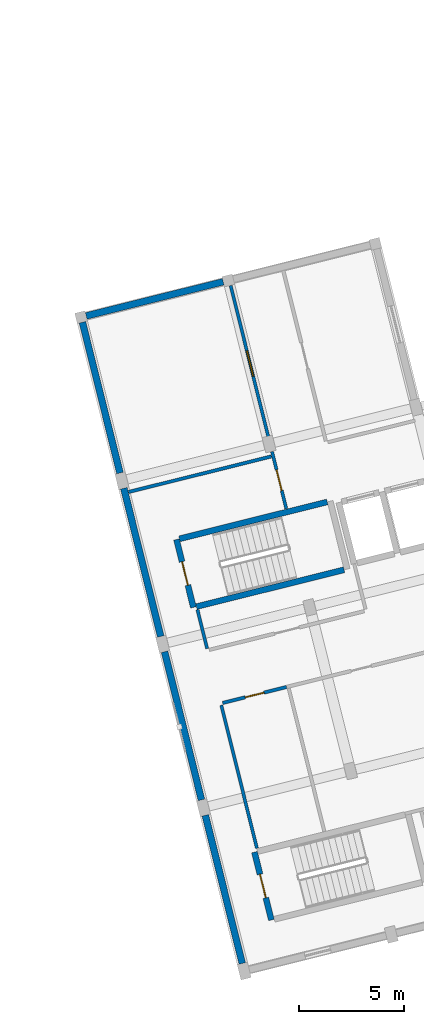
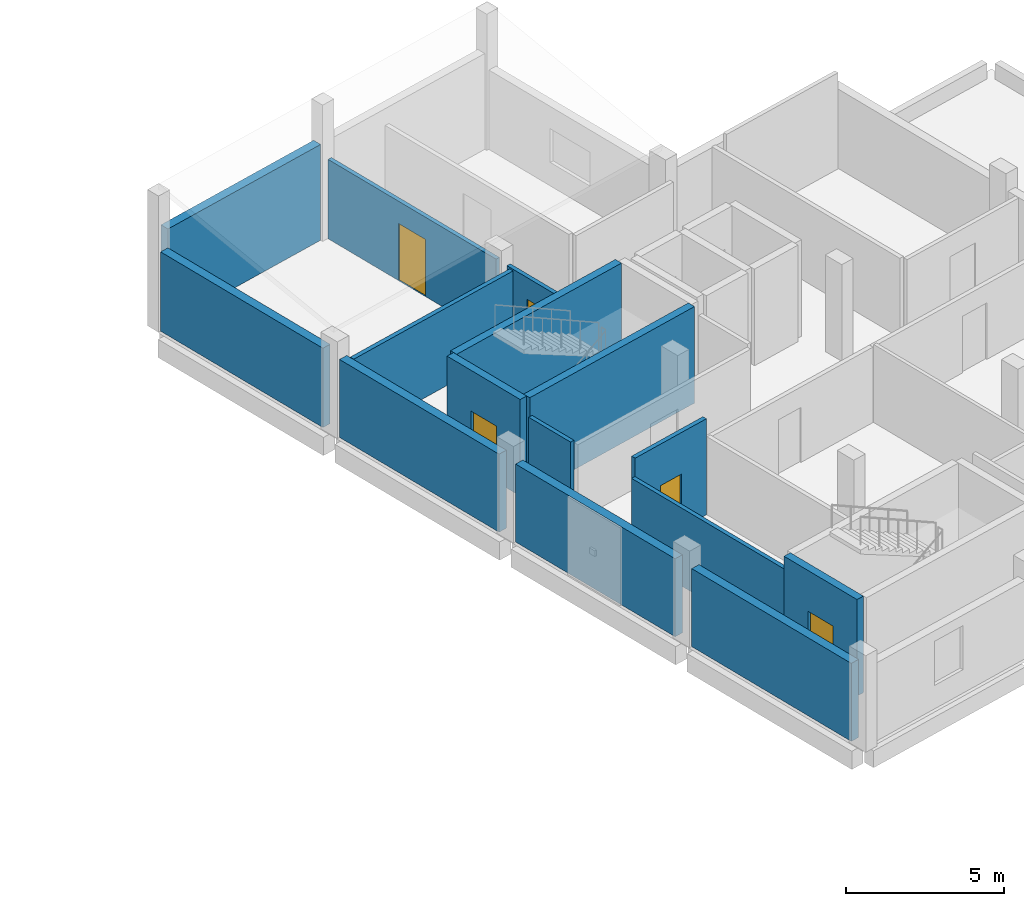
# One storey, part 6 of 14: 15 walls, 5 doors, 5 openings.
"""IFC4 building model written with IfcOpenShell, lengths in metres."""

import ifcopenshell
import ifcopenshell.guid

model = None  # the IFC model being written
_history = None  # IfcOwnerHistory: only IFC2X3 demands one
_inside = {}  # id of a spatial element -> (the spatial element, [elements in it])
_under = {}  # id of a project, library or spatial element -> (it, [spatial elements below it])
_declared = {}  # id of a project -> (the project, [libraries it declares])
_typed = {}  # id of a type object -> (the type object, [elements of that type])
_made_of = {}  # id of a material, layer set ... -> (it, [elements and type objects made of it])


def new_model(schema):
    """Start an empty IFC model of exactly this schema.

    Asked for "IFC4X3", IfcOpenShell would pick the latest addendum, in which some entities
    have other attributes; the version numbers below select the first issue.
    IFC2X3 requires an IfcOwnerHistory on every rooted entity: one is made here for all.
    """
    global model, _history
    if schema == "IFC4X3":
        model = ifcopenshell.file(schema_version=(4, 3, 0, 0))
    else:
        model = ifcopenshell.file(schema=schema)
    _inside.clear()
    _under.clear()
    _declared.clear()
    _typed.clear()
    _made_of.clear()
    _history = None
    if model.schema == "IFC2X3":
        org = make("IfcOrganization", Name="unknown")
        user = make(
            "IfcPersonAndOrganization",
            ThePerson=make("IfcPerson", FamilyName="unknown"),
            TheOrganization=org,
        )
        app = make(
            "IfcApplication",
            ApplicationDeveloper=org,
            Version="unknown",
            ApplicationFullName="unknown",
            ApplicationIdentifier="unknown",
        )
        _history = make(
            "IfcOwnerHistory",
            OwningUser=user,
            OwningApplication=app,
            ChangeAction="ADDED",
            CreationDate=0,
        )
    return model


def make(cls, **values):
    """One entity of the class cls with the attributes given. An attribute that is None is left unset."""
    return model.create_entity(
        cls, **{name: value for name, value in values.items() if value is not None}
    )


def rooted(cls, **values):
    """An entity with a GlobalId (a new one), such as an element, a storey or a relation."""
    return make(cls, GlobalId=ifcopenshell.guid.new(), OwnerHistory=_history, **values)


def si_unit(unit_type, name, prefix=None):
    """IfcSIUnit, for example si_unit("LENGTHUNIT", "METRE", prefix="MILLI")."""
    return make("IfcSIUnit", UnitType=unit_type, Prefix=prefix, Name=name)


def assignment(units):
    """IfcUnitAssignment: the units of a project."""
    return None if units is None else make("IfcUnitAssignment", Units=units)


def point(xyz):
    """IfcCartesianPoint."""
    return None if xyz is None else make("IfcCartesianPoint", Coordinates=xyz)


def direction(xyz):
    """IfcDirection."""
    return None if xyz is None else make("IfcDirection", DirectionRatios=xyz)


def frame(location, z_axis=None, x_axis=None):
    """IfcAxis2Placement3D, a coordinate frame: its origin and axes. An axis left out is left unset."""
    return make(
        "IfcAxis2Placement3D",
        Location=point(location),
        Axis=direction(z_axis),
        RefDirection=direction(x_axis),
    )


def frame_2d(location, x_axis=None):
    """IfcAxis2Placement2D, a coordinate frame in the plane: its origin and x axis."""
    return make(
        "IfcAxis2Placement2D", Location=point(location), RefDirection=direction(x_axis)
    )


def origin():
    """The frame at (0, 0, 0) with its axes left unset."""
    return frame((0.0, 0.0, 0.0))


def place(relative_to, where):
    """IfcLocalPlacement: puts the frame where relative to a parent placement (None: the world)."""
    return make(
        "IfcLocalPlacement", PlacementRelTo=relative_to, RelativePlacement=where
    )


def context(
    kind, dimensions, precision=None, world=None, true_north=None, identifier=None
):
    """IfcGeometricRepresentationContext, for example the 3D "Model" context."""
    return make(
        "IfcGeometricRepresentationContext",
        ContextIdentifier=identifier,
        ContextType=kind,
        CoordinateSpaceDimension=dimensions,
        Precision=precision,
        WorldCoordinateSystem=world,
        TrueNorth=true_north,
    )


def subcontext(parent, identifier, kind, view, scale=None):
    """IfcGeometricRepresentationSubContext, for example "Body" below "Model"."""
    return make(
        "IfcGeometricRepresentationSubContext",
        ContextIdentifier=identifier,
        ContextType=kind,
        ParentContext=parent,
        TargetScale=scale,
        TargetView=view,
    )


def project(units=None, contexts=None):
    """IfcProject with its units and contexts."""
    return rooted(
        "IfcProject",
        Name="project",
        RepresentationContexts=contexts,
        UnitsInContext=assignment(units),
    )


def spatial(cls, under=None, at=None, **own):
    """A site, building, storey or space (cls), placed at a placement, below another one or the project."""
    s = rooted(cls, ObjectPlacement=at, **own)
    if under is not None:
        _under.setdefault(under.id(), (under, []))[1].append(s)
    return s


def profile(cls, at=None, kind="AREA", **sizes):
    """A parametric profile (cls). Its sizes go by their IFC names, for example OverallWidth=200.0."""
    return make(cls, ProfileType=kind, Position=at, **sizes)


def rectangle(**sizes):
    """IfcRectangleProfileDef."""
    return profile("IfcRectangleProfileDef", **sizes)


def extrude(swept, where, along, depth):
    """IfcExtrudedAreaSolid: the profile swept, set in the frame where, extruded along a direction by depth."""
    return make(
        "IfcExtrudedAreaSolid",
        SweptArea=swept,
        Position=where,
        ExtrudedDirection=direction(along),
        Depth=depth,
    )


def shape(context_of_items, identifier, shape_type, items):
    """IfcShapeRepresentation: the items that make up one representation, for example the "Body"."""
    return make(
        "IfcShapeRepresentation",
        ContextOfItems=context_of_items,
        RepresentationIdentifier=identifier,
        RepresentationType=shape_type,
        Items=items,
    )


def material(Name=None, Category=None):
    """IfcMaterial."""
    return make("IfcMaterial", Name=Name, Category=Category)


def layer(
    of_material, thickness, ventilated=None, Name=None, Category=None, Priority=None
):
    """IfcMaterialLayer: one layer of a wall or slab, of a material (None: an air gap)."""
    return make(
        "IfcMaterialLayer",
        Material=of_material,
        LayerThickness=thickness,
        IsVentilated=ventilated,
        Name=Name,
        Category=Category,
        Priority=Priority,
    )


def layer_set(layers, Name=None):
    """IfcMaterialLayerSet."""
    return make("IfcMaterialLayerSet", MaterialLayers=layers, LayerSetName=Name)


def made_of(thing, what):
    """Note that an element or type object is made of a material, layer set ...; save() writes the relation."""
    if what is not None:
        _made_of.setdefault(what.id(), (what, []))[1].append(thing)
    return thing


def type_object(cls, material=None, **own):
    """A type object (cls), such as IfcWallType, which elements share."""
    return made_of(rooted(cls, **own), material)


def element(
    cls,
    number,
    at=None,
    inside=None,
    cuts=None,
    type_object=None,
    material=None,
    context=None,
    identifier="Body",
    shape_type=None,
    held_by="IfcProductDefinitionShape",
    body=None,
    shapes=None,
    **own,
):
    """One element of the class cls, such as IfcWall. Its Tag is "e" and its number.

    at: its placement. inside: the storey or other place that contains it. cuts: it is an
    opening in that element (IfcRelVoidsElement). A single representation is given by context,
    identifier, shape_type and body (its items); several are given by shapes. held_by: the class
    of the entity that holds the representations. save() writes the other relations.
    """
    e = rooted(cls, Tag="e%d" % number, ObjectPlacement=at, **own)
    if body is not None:
        shapes = [shape(context, identifier, shape_type, body)]
    if shapes is not None:
        e.Representation = make(held_by, Representations=shapes)
    if inside is not None:
        _inside.setdefault(inside.id(), (inside, []))[1].append(e)
    if cuts is not None:
        rooted(
            "IfcRelVoidsElement", RelatingBuildingElement=cuts, RelatedOpeningElement=e
        )
    if type_object is not None:
        _typed.setdefault(type_object.id(), (type_object, []))[1].append(e)
    return made_of(e, material)


def fill(opening, filler):
    """IfcRelFillsElement: the door or window that sits in an opening."""
    return rooted(
        "IfcRelFillsElement",
        RelatingOpeningElement=opening,
        RelatedBuildingElement=filler,
    )


def aggregate(whole, parts):
    """IfcRelAggregates: a whole, such as a stair, and the parts it consists of."""
    return rooted("IfcRelAggregates", RelatingObject=whole, RelatedObjects=parts)


def save(model, path):
    """Write the relations noted so far, then the file.

    IfcRelAggregates (storeys below a building ...), IfcRelContainedInSpatialStructure (elements
    in a storey), IfcRelDefinesByType, IfcRelAssociatesMaterial and IfcRelDeclares: one each for
    every whole, place, type object, material and project.
    """
    for whole, parts in _under.values():
        aggregate(whole, parts)
    for where, things in _inside.values():
        rooted(
            "IfcRelContainedInSpatialStructure",
            RelatedElements=things,
            RelatingStructure=where,
        )
    for kind, things in _typed.values():
        rooted("IfcRelDefinesByType", RelatedObjects=things, RelatingType=kind)
    for what, things in _made_of.values():
        rooted("IfcRelAssociatesMaterial", RelatedObjects=things, RelatingMaterial=what)
    for by, libraries in _declared.values():
        rooted("IfcRelDeclares", RelatingContext=by, RelatedDefinitions=libraries)
    model.write(path)


model = new_model("IFC4")

# Units and contexts
model_context = context("Model", 3, precision=1e-05, world=origin(), true_north=direction((0.0, 1.0)))
body_context = subcontext(model_context, "Body", "Model", "MODEL_VIEW")
ifc_project = project(units=[si_unit("LENGTHUNIT", "METRE"), si_unit("AREAUNIT", "SQUARE_METRE"), si_unit("VOLUMEUNIT", "CUBIC_METRE"), si_unit("PLANEANGLEUNIT", "RADIAN"), si_unit("MASSUNIT", "GRAM", prefix="KILO")], contexts=[model_context])

# Site, building, storey
site_placement = place(None, origin())
site = spatial("IfcSite", under=ifc_project, at=site_placement, CompositionType="ELEMENT")
building_placement = place(site_placement, origin())
building = spatial("IfcBuilding", under=site, at=building_placement, Name="Mawjan Specialist Oncology Clinic", CompositionType="ELEMENT")
storey_placement = place(building_placement, frame((0.0, 0.0, 17.5)))
storey = spatial("IfcBuildingStorey", under=building, at=storey_placement, Name="L04", CompositionType="ELEMENT", Elevation=17.5)

# Walls
ifc_material_1 = material(Name="Precast concrete C40/50", Category="concrete")
ifc_layer_1 = layer(ifc_material_1, 0.320068359375, Name="Precast concrete C40/50", Category="concrete")
ifc_layer_set_1 = layer_set([ifc_layer_1], Name="Precast concrete C40/50")
wall_type_1 = type_object("IfcWallType", Name="EW-320", PredefinedType="SOLIDWALL", material=ifc_layer_set_1)
for number, where, z_axis, x_axis, name in (
    (1, (125.9091796875, 1.163818359375, 0.0), (0.0, 0.0, 1.0), (-0.241917549853, 0.970296809782, 0.0), "L04 Coral-Limestone Exterior Wall EW-L04-334"),
    (2, (123.973876953125, 8.92626953125, 0.0), (0.0, 0.0, 1.0), (-0.241917549853, 0.970296809782, 0.0), "L04 Coral-Limestone Exterior Wall EW-L04-335"),
    (3, (122.03857421875, 16.6884765625, 0.0), (0.0, 0.0, 1.0), (-0.241917549853, 0.970296809782, 0.0), "L04 Coral-Limestone Exterior Wall EW-L04-336"),
):
    element("IfcWall", number, at=place(storey_placement, frame(where, z_axis=z_axis, x_axis=x_axis)), inside=storey, type_object=wall_type_1, Name=name, PredefinedType="SOLIDWALL", context=body_context, shape_type="SweptSolid", body=[
        extrude(rectangle(XDim=7.25, YDim=0.320068359375, at=frame_2d((3.625, 0.0))), origin(), (0.0, 0.0, 1.0), 3.0048828125),
    ])
wall_1_placement = place(storey_placement, frame((120.103271484375, 24.450927734375, 0.0), z_axis=(0.0, 0.0, 1.0), x_axis=(-0.241920240952, 0.970296138825, 0.0)))
element("IfcWall", 4, at=wall_1_placement, inside=storey, type_object=wall_type_1, Name="L04 Coral-Limestone Exterior Wall EW-L04-337", PredefinedType="SOLIDWALL", context=body_context, shape_type="SweptSolid", body=[
    extrude(rectangle(XDim=7.375, YDim=0.320068359375, at=frame_2d((3.6875, 0.0))), origin(), (0.0, 0.0, 1.0), 3.054931640625),
])
wall_2_placement = place(storey_placement, frame((118.5009765625, 31.909912109375, 0.0), z_axis=(0.0, 0.0, 1.0), x_axis=(0.970296633454, 0.241918257079, 0.0)))
element("IfcWall", 5, at=wall_2_placement, inside=storey, type_object=wall_type_1, Name="L04 Coral-Limestone Exterior Wall EW-L04-338", PredefinedType="SOLIDWALL", context=body_context, shape_type="SweptSolid", body=[
    extrude(rectangle(XDim=6.699951171875, YDim=0.320068359375, at=frame_2d((3.35009765625, 0.0))), origin(), (0.0, 0.0, 1.0), 3.68994140625),
])
ifc_material_2 = material(Name="Concrete C45/55", Category="concrete")
ifc_layer_2 = layer(ifc_material_2, 0.280029296875, Name="Concrete C45/55", Category="concrete")
ifc_layer_set_2 = layer_set([ifc_layer_2], Name="Concrete C45/55")
wall_type_2 = type_object("IfcWallType", Name="SW-300", PredefinedType="SHEAR", material=ifc_layer_set_2)
for number, where, z_axis, x_axis, name in (
    (6, (123.731201171875, 18.105224609375, 0.0), (0.0, 0.0, 1.0), (0.970297238923, 0.241915828623, 0.0), "L04 Core K5 Stair Shear Wall 1"),
    (7, (129.943115234375, 23.07568359375, 0.0), (0.0, 0.0, 1.0), (-0.970289312034, -0.241947620266, 0.0), "L04 Core K5 Stair Shear Wall 3"),
):
    element("IfcWall", number, at=place(storey_placement, frame(where, z_axis=z_axis, x_axis=x_axis)), inside=storey, type_object=wall_type_2, Name=name, PredefinedType="SHEAR", context=body_context, shape_type="SweptSolid", body=[
        extrude(rectangle(XDim=7.22998046875, YDim=0.280029296875, at=frame_2d((3.614990234375, 0.0))), origin(), (0.0, 0.0, 1.0), 3.719970703125),
    ])

# Wall, opening, door
wall_3_placement = place(storey_placement, frame((122.787353515625, 21.29150390625, 0.0), z_axis=(0.0, 0.0, 1.0), x_axis=(0.241860763027, -0.970310966293, 0.0)))
wall_3 = element("IfcWall", 8, at=wall_3_placement, inside=storey, type_object=wall_type_2, Name="L04 Core K5 Stair Shear Wall 4", PredefinedType="SHEAR", context=body_context, shape_type="SweptSolid", body=[
    extrude(rectangle(XDim=3.320068359375, YDim=0.280029296875, at=frame_2d((1.66015625, 0.0))), origin(), (0.0, 0.0, 1.0), 3.719970703125),
])
opening_1_placement = place(wall_3_placement, frame((1.0849609375, 0.0, 0.0)))
opening_1 = element("IfcOpeningElement", 9, at=opening_1_placement, cuts=wall_3, Name="Opening FD-90", PredefinedType="OPENING", context=body_context, shape_type="SweptSolid", body=[
    extrude(rectangle(XDim=1.14990234375, YDim=2.14990234375, at=frame_2d((0.574951171875, 1.074951171875))), frame((0.0, 0.152099609375, 0.0), z_axis=(0.0, -1.0, 0.0), x_axis=(1.0, 0.0, 0.0)), (0.0, 0.0, 1.0), 0.303955078125),
])
ifc_material_3 = material(Name="Stainless-steel fire-rated hospital door", Category="steel")
door_type_1 = type_object("IfcDoorType", Name="FD-90", OperationType="NOTDEFINED", PredefinedType="DOOR", material=ifc_material_3)
door_1_placement = place(opening_1_placement, origin())
door_1 = element("IfcDoor", 10, at=door_1_placement, inside=storey, type_object=door_type_1, Name="L04 ST-05 Fire Exit Stair Door", OperationType="SINGLE_SWING_LEFT", OverallHeight=2.14990234375, OverallWidth=1.14990234375, PredefinedType="DOOR", context=body_context, shape_type="SweptSolid", body=[
    extrude(rectangle(XDim=1.14990234375, YDim=2.14990234375, at=frame_2d((0.574951171875, 1.074951171875))), frame((0.0, 0.02490234375, 0.0), z_axis=(0.0, -1.0, 0.0), x_axis=(1.0, 0.0, 0.0)), (0.0, 0.0, 1.0), 0.050048828125),
])
fill(opening_1, door_1)

wall_4_placement = place(storey_placement, frame((126.488525390625, 6.44580078125, 0.0), z_axis=(0.0, 0.0, 1.0), x_axis=(0.241947258837, -0.970289402158, 0.0)))
wall_4 = element("IfcWall", 11, at=wall_4_placement, inside=storey, type_object=wall_type_2, Name="L04 Core K6 Stair Shear Wall 4", PredefinedType="SHEAR", context=body_context, shape_type="SweptSolid", body=[
    extrude(rectangle(XDim=3.31982421875, YDim=0.280029296875, at=frame_2d((1.659912109375, 0.0))), origin(), (0.0, 0.0, 1.0), 3.719970703125),
])
opening_2_placement = place(wall_4_placement, frame((1.0849609375, 0.0, 0.0)))
opening_2 = element("IfcOpeningElement", 12, at=opening_2_placement, cuts=wall_4, Name="Opening FD-90", PredefinedType="OPENING", context=body_context, shape_type="SweptSolid", body=[
    extrude(rectangle(XDim=1.14990234375, YDim=2.14990234375, at=frame_2d((0.574951171875, 1.074951171875))), frame((0.0, 0.152099609375, 0.0), z_axis=(0.0, -1.0, 0.0), x_axis=(1.0, 0.0, 0.0)), (0.0, 0.0, 1.0), 0.303955078125),
])
door_2_placement = place(opening_2_placement, origin())
door_2 = element("IfcDoor", 13, at=door_2_placement, inside=storey, type_object=door_type_1, Name="L04 ST-06 Fire Exit Stair Door", OperationType="SINGLE_SWING_LEFT", OverallHeight=2.14990234375, OverallWidth=1.14990234375, PredefinedType="DOOR", context=body_context, shape_type="SweptSolid", body=[
    extrude(rectangle(XDim=1.14990234375, YDim=2.14990234375, at=frame_2d((0.574951171875, 1.074951171875))), frame((0.0, 0.02490234375, 0.0), z_axis=(0.0, -1.0, 0.0), x_axis=(1.0, 0.0, 0.0)), (0.0, 0.0, 1.0), 0.050048828125),
])
fill(opening_2, door_2)

ifc_material_4 = material(Name="Acoustic gypsum clinical partition", Category="gypsum")
ifc_layer_3 = layer(ifc_material_4, 0.14990234375, Name="Acoustic gypsum clinical partition", Category="gypsum")
ifc_layer_set_3 = layer_set([ifc_layer_3], Name="Acoustic gypsum clinical partition")
wall_type_3 = type_object("IfcWallType", Name="WP-150", PredefinedType="PARTITIONING", material=ifc_layer_set_3)
wall_5_placement = place(storey_placement, frame((127.999755859375, 22.747802734375, 0.0), z_axis=(0.0, 0.0, 1.0), x_axis=(-0.241961339667, 0.970285890914, 0.0)))
wall_5 = element("IfcWall", 14, at=wall_5_placement, inside=storey, type_object=wall_type_3, Name="L04 Interior Partition W-RINT-L04-RWN-E", PredefinedType="PARTITIONING", context=body_context, shape_type="SweptSolid", body=[
    extrude(rectangle(XDim=2.801025390625, YDim=0.14990234375, at=frame_2d((1.400390625, 0.0))), origin(), (0.0, 0.0, 1.0), 3.054931640625),
])
opening_3_placement = place(wall_5_placement, frame((0.900390625, 0.0, 0.0)))
opening_3 = element("IfcOpeningElement", 15, at=opening_3_placement, cuts=wall_5, Name="Opening DA-100", PredefinedType="OPENING", context=body_context, shape_type="SweptSolid", body=[
    extrude(rectangle(XDim=1.0, YDim=2.219970703125, at=frame_2d((0.5, 1.10986328125))), frame((0.0, 0.0869140625, 0.0), z_axis=(0.0, -1.0, 0.0), x_axis=(1.0, 0.0, 0.0)), (0.0, 0.0, 1.0), 0.173828125),
])
ifc_material_5 = material(Name="Acoustic laminate hospital door leaf", Category="wood")
door_type_2 = type_object("IfcDoorType", Name="DA-100", OperationType="NOTDEFINED", PredefinedType="DOOR", material=ifc_material_5)
door_3_placement = place(opening_3_placement, origin())
door_3 = element("IfcDoor", 16, at=door_3_placement, inside=storey, type_object=door_type_2, Name="L04 Computational Oncology Laboratory Door", OperationType="SINGLE_SWING_LEFT", OverallHeight=2.219970703125, OverallWidth=1.0, PredefinedType="DOOR", context=body_context, shape_type="SweptSolid", body=[
    extrude(rectangle(XDim=1.0, YDim=2.219970703125, at=frame_2d((0.5, 1.10986328125))), frame((0.0, 0.02490234375, 0.0), z_axis=(0.0, -1.0, 0.0), x_axis=(1.0, 0.0, 0.0)), (0.0, 0.0, 1.0), 0.050048828125),
])
fill(opening_3, door_3)

wall_6_placement = place(storey_placement, frame((127.203125, 25.94287109375, 0.0), z_axis=(0.0, 0.0, 1.0), x_axis=(-0.241933510305, 0.970292830331, 0.0)))
wall_6 = element("IfcWall", 17, at=wall_6_placement, inside=storey, type_object=wall_type_3, Name="L04 Interior Partition W-RINT-L04-RNW1-E", PredefinedType="PARTITIONING", context=body_context, shape_type="SweptSolid", body=[
    extrude(rectangle(XDim=7.633056640625, YDim=0.14990234375, at=frame_2d((3.81640625, 0.0))), origin(), (0.0, 0.0, 1.0), 3.054931640625),
])
opening_4_placement = place(wall_6_placement, frame((3.196533203125, 0.0, 0.0)))
opening_4 = element("IfcOpeningElement", 18, at=opening_4_placement, cuts=wall_6, Name="Opening DC-124", PredefinedType="OPENING", context=body_context, shape_type="SweptSolid", body=[
    extrude(rectangle(XDim=1.239990234375, YDim=2.199951171875, at=frame_2d((0.6201171875, 1.10009765625))), frame((0.0, 0.0869140625, 0.0), z_axis=(0.0, -1.0, 0.0), x_axis=(1.0, 0.0, 0.0)), (0.0, 0.0, 1.0), 0.173828125),
])
ifc_material_6 = material(Name="Acoustic laminate hospital door leaf", Category="wood")
door_type_3 = type_object("IfcDoorType", Name="DC-124", OperationType="NOTDEFINED", PredefinedType="DOOR", material=ifc_material_6)
door_4_placement = place(opening_4_placement, origin())
door_4 = element("IfcDoor", 19, at=door_4_placement, inside=storey, type_object=door_type_3, Name="L04 Cancer Genomics Dry Laboratory Door", OperationType="SINGLE_SWING_LEFT", OverallHeight=2.199951171875, OverallWidth=1.239990234375, PredefinedType="DOOR", context=body_context, shape_type="SweptSolid", body=[
    extrude(rectangle(XDim=1.239990234375, YDim=2.199951171875, at=frame_2d((0.6201171875, 1.10009765625))), frame((0.0, 0.02490234375, 0.0), z_axis=(0.0, -1.0, 0.0), x_axis=(1.0, 0.0, 0.0)), (0.0, 0.0, 1.0), 0.050048828125),
])
fill(opening_4, door_4)

# Walls
wall_7_placement = place(storey_placement, frame((124.242919921875, 16.11474609375, 0.0), z_axis=(0.0, 0.0, 1.0), x_axis=(-0.241962034071, 0.970285717749, 0.0)))
element("IfcWall", 20, at=wall_7_placement, inside=storey, type_object=wall_type_3, Name="L04 Interior Partition W-RINT-L04-RKS-W", PredefinedType="PARTITIONING", context=body_context, shape_type="SweptSolid", body=[
    extrude(rectangle(XDim=1.903076171875, YDim=0.14990234375, at=frame_2d((0.95166015625, 0.0))), origin(), (0.0, 0.0, 1.0), 3.0048828125),
])
wall_8_placement = place(storey_placement, frame((126.607177734375, 6.632080078125, 0.0), z_axis=(0.0, 0.0, 1.0), x_axis=(-0.241944970231, 0.970289972833, 0.0)))
element("IfcWall", 21, at=wall_8_placement, inside=storey, type_object=wall_type_3, Name="L04 Interior Partition W-RINT-L04-RAS1-W", PredefinedType="PARTITIONING", context=body_context, shape_type="SweptSolid", body=[
    extrude(rectangle(XDim=7.0029296875, YDim=0.14990234375, at=frame_2d((3.50146484375, 0.0))), origin(), (0.0, 0.0, 1.0), 3.0048828125),
])

# Wall, opening, door
ifc_material_7 = material(Name="Acoustic clinical twin-stud partition", Category="gypsum")
ifc_layer_4 = layer(ifc_material_7, 0.159912109375, Name="Acoustic clinical twin-stud partition", Category="gypsum")
ifc_layer_set_4 = layer_set([ifc_layer_4], Name="Acoustic clinical twin-stud partition")
wall_type_4 = type_object("IfcWallType", Name="WP-160", PredefinedType="PARTITIONING", material=ifc_layer_set_4)
wall_9_placement = place(storey_placement, frame((124.974853515625, 13.530029296875, 0.0), z_axis=(0.0, 0.0, 1.0), x_axis=(0.970289141252, 0.241948305158, 0.0)))
wall_9 = element("IfcWall", 22, at=wall_9_placement, inside=storey, type_object=wall_type_4, Name="L04 Interior Partition W-RINT-L04-RAS1-N", PredefinedType="PARTITIONING", context=body_context, shape_type="SweptSolid", body=[
    extrude(rectangle(XDim=3.130126953125, YDim=0.159912109375, at=frame_2d((1.56494140625, 0.0))), origin(), (0.0, 0.0, 1.0), 3.699951171875),
])
opening_5_placement = place(wall_9_placement, frame((1.10498046875, 0.0, 0.0)))
opening_5 = element("IfcOpeningElement", 23, at=opening_5_placement, cuts=wall_9, Name="Opening DI-92", PredefinedType="OPENING", context=body_context, shape_type="SweptSolid", body=[
    extrude(rectangle(XDim=0.919921875, YDim=2.10009765625, at=frame_2d((0.4599609375, 1.050048828125))), frame((0.0, 0.092041015625, 0.0), z_axis=(0.0, -1.0, 0.0), x_axis=(1.0, 0.0, 0.0)), (0.0, 0.0, 1.0), 0.183837890625),
])
ifc_material_8 = material(Name="Acoustic laminate hospital door leaf", Category="wood")
door_type_4 = type_object("IfcDoorType", Name="DI-92", OperationType="NOTDEFINED", PredefinedType="DOOR", material=ifc_material_8)
door_5_placement = place(opening_5_placement, origin())
door_5 = element("IfcDoor", 24, at=door_5_placement, inside=storey, type_object=door_type_4, Name="L04 Accessible Toilet Door", OperationType="SINGLE_SWING_RIGHT", OverallHeight=2.10009765625, OverallWidth=0.919921875, PredefinedType="DOOR", context=body_context, shape_type="SweptSolid", body=[
    extrude(rectangle(XDim=0.919921875, YDim=2.10009765625, at=frame_2d((0.4599609375, 1.050048828125))), frame((0.0, 0.02490234375, 0.0), z_axis=(0.0, -1.0, 0.0), x_axis=(1.0, 0.0, 0.0)), (0.0, 0.0, 1.0), 0.050048828125),
])
fill(opening_5, door_5)

# Wall
wall_10_placement = place(storey_placement, frame((120.505859375, 23.546630859375, 0.0), z_axis=(0.0, 0.0, 1.0), x_axis=(0.970300468758, 0.241902873748, 0.0)))
element("IfcWall", 25, at=wall_10_placement, inside=storey, type_object=wall_type_4, Name="L04 Interior Partition W-RINT-L04-RWN-N", PredefinedType="PARTITIONING", context=body_context, shape_type="SweptSolid", body=[
    extrude(rectangle(XDim=6.990966796875, YDim=0.159912109375, at=frame_2d((3.49560546875, 0.0))), origin(), (0.0, 0.0, 1.0), 3.0048828125),
])

save(model, "model.ifc")
